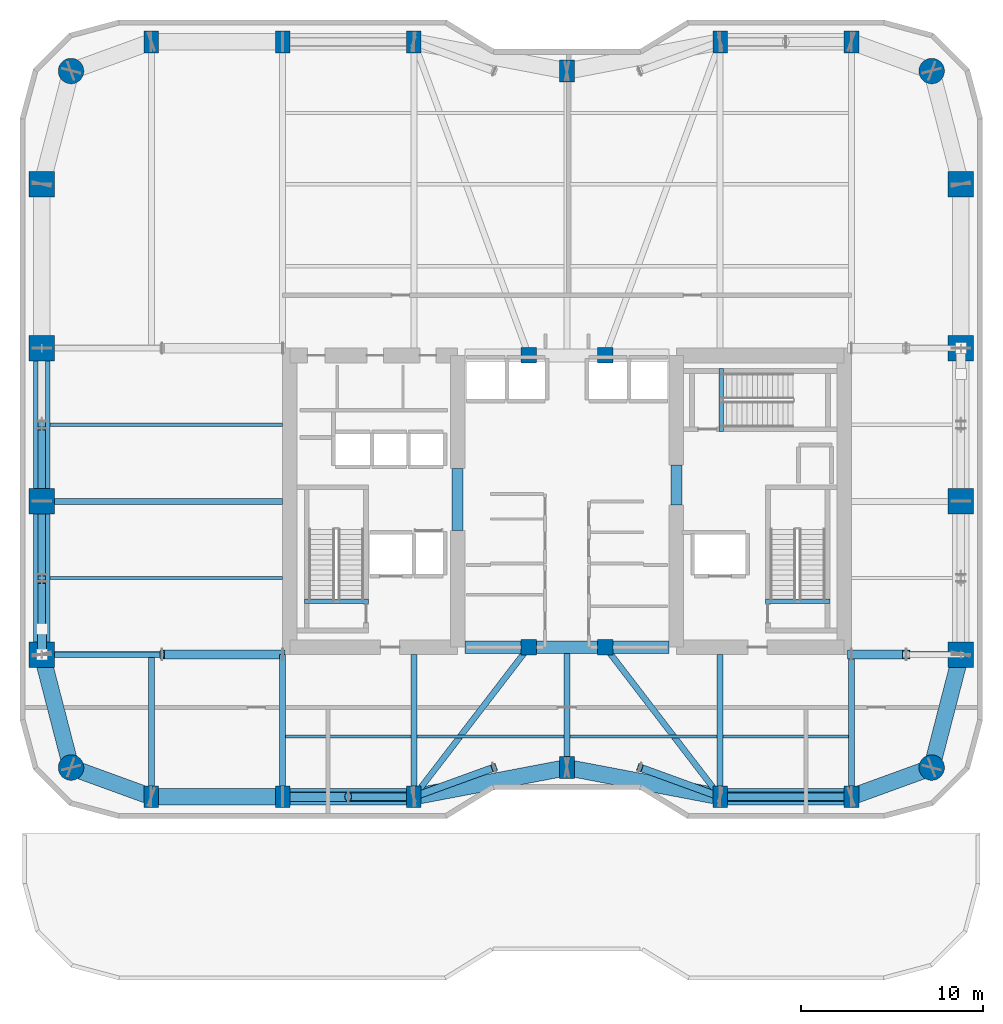
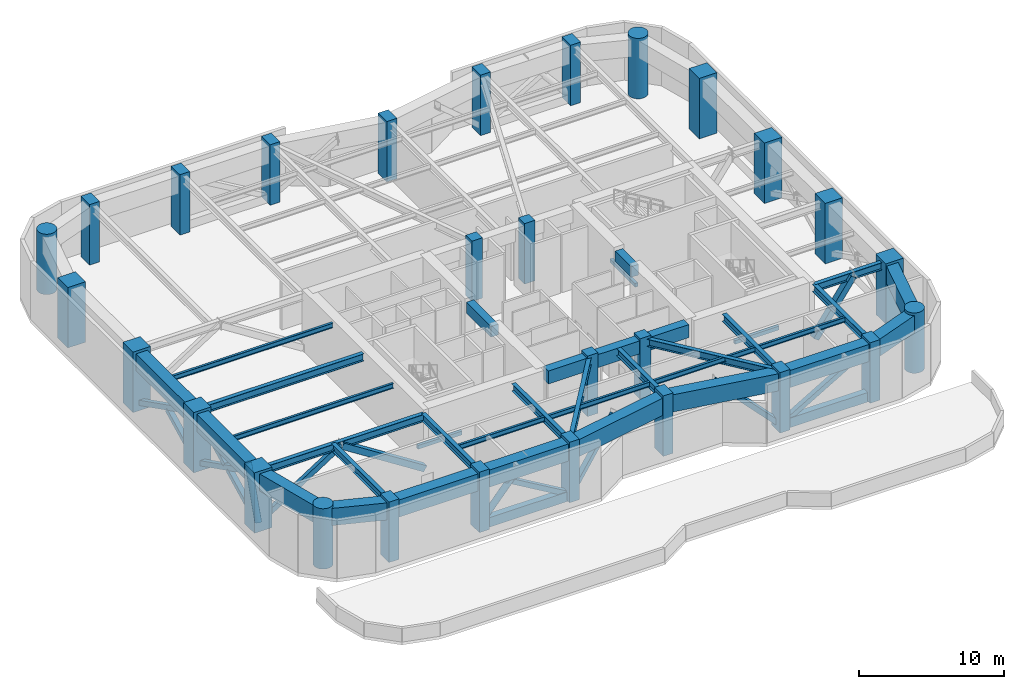
# One storey, part 1 of 16: 36 beams, 28 columns, 16 members.
"""IFC4 building model written with IfcOpenShell, lengths in metres."""

from ifc_helpers import new_model, si_unit, direction, frame, origin, origin_2d, place, context, subcontext, project, spatial, rectangle, hollow_rectangle, circle, hollow_circle, i_section, extrude, material, material_profile, profile_set, type_object, element, save


model = new_model("IFC4")

# Units and contexts
model_context = context("Model", 3, precision=1e-05, world=origin(), true_north=direction((0.0, 1.0)))
body_context = subcontext(model_context, "Body", "Model", "MODEL_VIEW")
ifc_project = project(units=[si_unit("LENGTHUNIT", "METRE"), si_unit("AREAUNIT", "SQUARE_METRE"), si_unit("VOLUMEUNIT", "CUBIC_METRE"), si_unit("PLANEANGLEUNIT", "RADIAN"), si_unit("MASSUNIT", "GRAM", prefix="KILO")], contexts=[model_context])

# Site, building, storey
site_placement = place(None, origin())
site = spatial("IfcSite", under=ifc_project, at=site_placement, CompositionType="ELEMENT")
building_placement = place(site_placement, origin())
building = spatial("IfcBuilding", under=site, at=building_placement, Name="Kiyonajd Concourse Tower", CompositionType="ELEMENT")
storey_placement = place(building_placement, frame((0.0, 0.0, 145.5)))
storey = spatial("IfcBuildingStorey", under=building, at=storey_placement, Name="L37", CompositionType="ELEMENT", Elevation=145.5)

# Columns
ifc_material_1 = material(Name="Concrete C70/85", Category="concrete")
ifc_material_profile_1 = material_profile(ifc_material_1, rectangle(XDim=0.800048828125, YDim=1.199951171875, at=origin_2d()), Name="RC-1200x800")
ifc_profile_set_1 = profile_set([ifc_material_profile_1], Name="Concrete C70/85")
column_type_1 = type_object("IfcColumnType", Name="CL-BLADE-1200", PredefinedType="COLUMN", material=ifc_profile_set_1)
for number, where, z_axis, x_axis, name in (
    (1, (25.199951171875, 19.800048828125, 0.0), (0.0, 0.0, 1.0), (1.0, 0.0, 0.0), "L37 Perimeter Bundled Tube Column"),
    (2, (25.199951171875, 61.199951171875, 0.0), (0.0, 0.0, 1.0), (1.0, 0.0, 0.0), "L37 Perimeter Bundled Tube Column"),
    (3, (32.39990234375, 19.800048828125, 0.0), (0.0, 0.0, 1.0), (1.0, 0.0, 0.0), "L37 Perimeter Bundled Tube Column"),
    (4, (32.39990234375, 61.199951171875, 0.0), (0.0, 0.0, 1.0), (1.0, 0.0, 0.0), "L37 Perimeter Bundled Tube Column"),
    (5, (39.60009765625, 19.800048828125, 0.0), (0.0, 0.0, 1.0), (1.0, 0.0, 0.0), "L37 Perimeter Bundled Tube Column"),
    (6, (39.60009765625, 61.199951171875, 0.0), (0.0, 0.0, 1.0), (1.0, 0.0, 0.0), "L37 Perimeter Bundled Tube Column"),
    (7, (48.0, 21.39990234375, 0.0), (0.0, 0.0, 1.0), (1.0, 0.0, 0.0), "L37 Perimeter Bundled Tube Column"),
    (8, (48.0, 59.60009765625, 0.0), (0.0, 0.0, 1.0), (1.0, 0.0, 0.0), "L37 Perimeter Bundled Tube Column"),
    (9, (56.39990234375, 19.800048828125, 0.0), (0.0, 0.0, 1.0), (1.0, 0.0, 0.0), "L37 Perimeter Bundled Tube Column"),
    (10, (56.39990234375, 61.199951171875, 0.0), (0.0, 0.0, 1.0), (1.0, 0.0, 0.0), "L37 Perimeter Bundled Tube Column"),
    (11, (63.60009765625, 19.800048828125, 0.0), (0.0, 0.0, 1.0), (1.0, 0.0, 0.0), "L37 Perimeter Bundled Tube Column"),
    (12, (63.60009765625, 61.199951171875, 0.0), (0.0, 0.0, 1.0), (1.0, 0.0, 0.0), "L37 Perimeter Bundled Tube Column"),
):
    element("IfcColumn", number, at=place(storey_placement, frame(where, z_axis=z_axis, x_axis=x_axis)), inside=storey, type_object=column_type_1, Name=name, PredefinedType="COLUMN", context=body_context, shape_type="SweptSolid", body=[
        extrude(rectangle(XDim=0.800048828125, YDim=1.199951171875, at=origin_2d()), origin(), (0.0, 0.0, 1.0), 5.10009765625),
    ])
ifc_material_2 = material(Name="Concrete C80/95", Category="concrete")
ifc_material_profile_2 = material_profile(ifc_material_2, circle(Radius=0.699951171875, at=origin_2d()), Name="RCC-D1400")
ifc_profile_set_2 = profile_set([ifc_material_profile_2], Name="Concrete C80/95")
column_type_2 = type_object("IfcColumnType", Name="CL-RND-1400", PredefinedType="COLUMN", material=ifc_profile_set_2)
for number, where, z_axis, x_axis, name in (
    (13, (20.800048828125, 21.39990234375, 0.0), (0.0, 0.0, 1.0), (1.0, 0.0, 0.0), "L37 Bundled Tube Corner Column South West"),
    (14, (68.0, 21.39990234375, 0.0), (0.0, 0.0, 1.0), (1.0, 0.0, 0.0), "L37 Bundled Tube Corner Column South East"),
    (15, (68.0, 59.60009765625, 0.0), (0.0, 0.0, 1.0), (1.0, 0.0, 0.0), "L37 Bundled Tube Corner Column North East"),
    (16, (20.800048828125, 59.60009765625, 0.0), (0.0, 0.0, 1.0), (1.0, 0.0, 0.0), "L37 Bundled Tube Corner Column North West"),
):
    element("IfcColumn", number, at=place(storey_placement, frame(where, z_axis=z_axis, x_axis=x_axis)), inside=storey, type_object=column_type_2, Name=name, PredefinedType="COLUMN", context=body_context, shape_type="SweptSolid", body=[
        extrude(circle(Radius=0.699951171875, at=origin_2d()), origin(), (0.0, 0.0, 1.0), 5.10009765625),
    ])
ifc_material_profile_3 = material_profile(ifc_material_1, rectangle(XDim=1.39990234375, YDim=1.39990234375, at=origin_2d()), Name="RC-1400x1400")
ifc_profile_set_3 = profile_set([ifc_material_profile_3], Name="Concrete C70/85")
column_type_3 = type_object("IfcColumnType", Name="CL-TUBE-1400", PredefinedType="COLUMN", material=ifc_profile_set_3)
for number, where, z_axis, x_axis, name in (
    (17, (19.199951171875, 27.60009765625, 0.0), (0.0, 0.0, 1.0), (1.0, 0.0, 0.0), "L37 Perimeter Bundled Tube Column"),
    (18, (69.60009765625, 27.60009765625, 0.0), (0.0, 0.0, 1.0), (1.0, 0.0, 0.0), "L37 Perimeter Bundled Tube Column"),
    (19, (19.199951171875, 36.0, 0.0), (0.0, 0.0, 1.0), (1.0, 0.0, 0.0), "L37 Perimeter Bundled Tube Column"),
    (20, (69.60009765625, 36.0, 0.0), (0.0, 0.0, 1.0), (1.0, 0.0, 0.0), "L37 Perimeter Bundled Tube Column"),
    (21, (19.199951171875, 44.39990234375, 0.0), (0.0, 0.0, 1.0), (1.0, 0.0, 0.0), "L37 Perimeter Bundled Tube Column"),
    (22, (69.60009765625, 44.39990234375, 0.0), (0.0, 0.0, 1.0), (1.0, 0.0, 0.0), "L37 Perimeter Bundled Tube Column"),
    (23, (19.199951171875, 53.39990234375, 0.0), (0.0, 0.0, 1.0), (1.0, 0.0, 0.0), "L37 Perimeter Bundled Tube Column"),
    (24, (69.60009765625, 53.39990234375, 0.0), (0.0, 0.0, 1.0), (1.0, 0.0, 0.0), "L37 Perimeter Bundled Tube Column"),
):
    element("IfcColumn", number, at=place(storey_placement, frame(where, z_axis=z_axis, x_axis=x_axis)), inside=storey, type_object=column_type_3, Name=name, PredefinedType="COLUMN", context=body_context, shape_type="SweptSolid", body=[
        extrude(rectangle(XDim=1.39990234375, YDim=1.39990234375, at=origin_2d()), origin(), (0.0, 0.0, 1.0), 5.10009765625),
    ])
ifc_material_3 = material(Name="Concrete C60/75", Category="concrete")
ifc_material_profile_4 = material_profile(ifc_material_3, rectangle(XDim=0.85009765625, YDim=0.85009765625, at=origin_2d()), Name="RC-850x850")
ifc_profile_set_4 = profile_set([ifc_material_profile_4], Name="Concrete C60/75")
column_type_4 = type_object("IfcColumnType", Name="CL-TUBE-850", PredefinedType="COLUMN", material=ifc_profile_set_4)
for number, where, z_axis, x_axis, name in (
    (25, (45.89990234375, 28.0, 0.0), (0.0, 0.0, 1.0), (1.0, 0.0, 0.0), "L37 Core Tie Column South West"),
    (26, (50.10009765625, 28.0, 0.0), (0.0, 0.0, 1.0), (1.0, 0.0, 0.0), "L37 Core Tie Column South East"),
    (27, (45.89990234375, 44.0, 0.0), (0.0, 0.0, 1.0), (1.0, 0.0, 0.0), "L37 Core Tie Column North West"),
    (28, (50.10009765625, 44.0, 0.0), (0.0, 0.0, 1.0), (1.0, 0.0, 0.0), "L37 Core Tie Column North East"),
):
    element("IfcColumn", number, at=place(storey_placement, frame(where, z_axis=z_axis, x_axis=x_axis)), inside=storey, type_object=column_type_4, Name=name, PredefinedType="COLUMN", context=body_context, shape_type="SweptSolid", body=[
        extrude(rectangle(XDim=0.85009765625, YDim=0.85009765625, at=origin_2d()), origin(), (0.0, 0.0, 1.0), 5.10009765625),
    ])

# Beams
ifc_material_profile_5 = material_profile(ifc_material_1, rectangle(XDim=0.699951171875, YDim=1.10009765625, at=origin_2d()), Name="RCBM-700x1100")
ifc_profile_set_5 = profile_set([ifc_material_profile_5], Name="Concrete C70/85")
beam_type_1 = type_object("IfcBeamType", Name="BM-COUP-1100", PredefinedType="LINTEL", material=ifc_profile_set_5)
beam_1_placement = place(storey_placement, frame((42.39990234375, 28.0, 4.330078125), z_axis=(1.0, 0.0, 0.0), x_axis=(0.0, 1.0, 0.0)))
element("IfcBeam", 29, at=beam_1_placement, inside=storey, type_object=beam_type_1, Name="L37 Core Coupling Beam S1", PredefinedType="LINTEL", context=body_context, shape_type="SweptSolid", body=[
    extrude(rectangle(XDim=0.699951171875, YDim=1.10009765625, at=origin_2d()), origin(), (0.0, 0.0, 1.0), 3.5),
])
beam_2_placement = place(storey_placement, frame((45.89990234375, 28.0, 4.330078125), z_axis=(1.0, 0.0, 0.0), x_axis=(0.0, 1.0, 0.0)))
element("IfcBeam", 30, at=beam_2_placement, inside=storey, type_object=beam_type_1, Name="L37 Core Coupling Beam S2", PredefinedType="LINTEL", context=body_context, shape_type="SweptSolid", body=[
    extrude(rectangle(XDim=0.699951171875, YDim=1.10009765625, at=origin_2d()), origin(), (0.0, 0.0, 1.0), 4.2001953125),
])
beam_3_placement = place(storey_placement, frame((50.10009765625, 28.0, 4.330078125), z_axis=(1.0, 0.0, 0.0), x_axis=(0.0, 1.0, 0.0)))
element("IfcBeam", 31, at=beam_3_placement, inside=storey, type_object=beam_type_1, Name="L37 Core Coupling Beam S3", PredefinedType="LINTEL", context=body_context, shape_type="SweptSolid", body=[
    extrude(rectangle(XDim=0.699951171875, YDim=1.10009765625, at=origin_2d()), origin(), (0.0, 0.0, 1.0), 3.5),
])
ifc_material_profile_6 = material_profile(ifc_material_3, rectangle(XDim=0.60009765625, YDim=0.89990234375, at=origin_2d()), Name="RCBM-600x900")
ifc_profile_set_6 = profile_set([ifc_material_profile_6], Name="Concrete C60/75")
beam_type_2 = type_object("IfcBeamType", Name="BM-COUP-900", PredefinedType="LINTEL", material=ifc_profile_set_6)
beam_4_placement = place(storey_placement, frame((42.0, 34.39990234375, 4.330078125), z_axis=(0.0, 1.0, 0.0), x_axis=(-1.0, 0.0, 0.0)))
element("IfcBeam", 32, at=beam_4_placement, inside=storey, type_object=beam_type_2, Name="L37 West Core Throat Coupling Lintel", PredefinedType="LINTEL", context=body_context, shape_type="SweptSolid", body=[
    extrude(rectangle(XDim=0.60009765625, YDim=0.89990234375, at=origin_2d()), origin(), (0.0, 0.0, 1.0), 3.400146484375),
])
beam_5_placement = place(storey_placement, frame((54.0, 35.800048828125, 4.330078125), z_axis=(0.0, 1.0, 0.0), x_axis=(-1.0, 0.0, 0.0)))
element("IfcBeam", 33, at=beam_5_placement, inside=storey, type_object=beam_type_2, Name="L37 East Core Throat Coupling Lintel", PredefinedType="LINTEL", context=body_context, shape_type="SweptSolid", body=[
    extrude(rectangle(XDim=0.60009765625, YDim=0.89990234375, at=origin_2d()), origin(), (0.0, 0.0, 1.0), 2.199951171875),
])
ifc_material_4 = material(Name="Steel ASTM A992 Grade 50", Category="steel")
ifc_material_profile_7 = material_profile(ifc_material_4, i_section(OverallWidth=0.180908203125, OverallDepth=0.4169921875, WebThickness=0.010986328125, FlangeThickness=0.018310546875, at=origin_2d()), Name="W410X85")
ifc_profile_set_7 = profile_set([ifc_material_profile_7], Name="Steel ASTM A992 Grade 50")
beam_type_3 = type_object("IfcBeamType", Name="BM-JST-410", PredefinedType="JOIST", material=ifc_profile_set_7)
beam_6_placement = place(storey_placement, frame((32.5634765625, 23.10009765625, 4.67138671875), z_axis=(1.0, 0.0, 0.0), x_axis=(0.0, 1.0, 0.0)))
element("IfcBeam", 34, at=beam_6_placement, inside=storey, type_object=beam_type_3, Name="L37 Secondary Floor Joist", PredefinedType="JOIST", context=body_context, shape_type="SweptSolid", body=[
    extrude(i_section(OverallWidth=0.180908203125, OverallDepth=0.4169921875, WebThickness=0.010986328125, FlangeThickness=0.018310546875, at=origin_2d()), origin(), (0.0, 0.0, 1.0), 6.873046875),
])
for number, where, z_axis, x_axis, name in (
    (35, (39.763427734375, 23.10009765625, 4.67138671875), (1.0, 0.0, 0.0), (0.0, 1.0, 0.0), "L37 Secondary Floor Joist"),
    (36, (48.16357421875, 23.10009765625, 4.67138671875), (1.0, 0.0, 0.0), (0.0, 1.0, 0.0), "L37 Secondary Floor Joist"),
):
    element("IfcBeam", number, at=place(storey_placement, frame(where, z_axis=z_axis, x_axis=x_axis)), inside=storey, type_object=beam_type_3, Name=name, PredefinedType="JOIST", context=body_context, shape_type="SweptSolid", body=[
        extrude(i_section(OverallWidth=0.180908203125, OverallDepth=0.4169921875, WebThickness=0.010986328125, FlangeThickness=0.018310546875, at=origin_2d()), origin(), (0.0, 0.0, 1.0), 8.072998046875),
    ])
beam_7_placement = place(storey_placement, frame((56.5634765625, 23.10009765625, 4.67138671875), z_axis=(1.0, 0.0, 0.0), x_axis=(0.0, 1.0, 0.0)))
element("IfcBeam", 37, at=beam_7_placement, inside=storey, type_object=beam_type_3, Name="L37 Secondary Floor Joist", PredefinedType="JOIST", context=body_context, shape_type="SweptSolid", body=[
    extrude(i_section(OverallWidth=0.180908203125, OverallDepth=0.4169921875, WebThickness=0.010986328125, FlangeThickness=0.018310546875, at=origin_2d()), origin(), (0.0, 0.0, 1.0), 6.873046875),
])
for number, where, z_axis, x_axis, name in (
    (38, (19.64990234375, 31.800048828125, 4.67138671875), (1.0, 0.0, 0.0), (0.0, 1.0, 0.0), "L37 West Secondary Floor Joist"),
    (39, (19.64990234375, 40.199951171875, 4.67138671875), (1.0, 0.0, 0.0), (0.0, 1.0, 0.0), "L37 West Secondary Floor Joist"),
):
    element("IfcBeam", number, at=place(storey_placement, frame(where, z_axis=z_axis, x_axis=x_axis)), inside=storey, type_object=beam_type_3, Name=name, PredefinedType="JOIST", context=body_context, shape_type="SweptSolid", body=[
        extrude(i_section(OverallWidth=0.180908203125, OverallDepth=0.4169921875, WebThickness=0.010986328125, FlangeThickness=0.018310546875, at=origin_2d()), origin(), (0.0, 0.0, 1.0), 12.75),
    ])
ifc_material_5 = material(Name="Concrete C50/60", Category="concrete")
ifc_material_profile_8 = material_profile(ifc_material_5, rectangle(XDim=0.239990234375, YDim=0.320068359375, at=origin_2d()), Name="RCBM-240x320")
ifc_profile_set_8 = profile_set([ifc_material_profile_8], Name="Concrete C50/60")
beam_type_4 = type_object("IfcBeamType", Name="BM-LNT-250", PredefinedType="LINTEL", material=ifc_profile_set_8)
for number, where, z_axis, x_axis, name in (
    (40, (33.590087890625, 30.530029296875, -0.159912109375), (1.0, 0.0, 0.0), (0.0, 1.0, 0.0), "L37 Stair ST1 Threshold Support Beam"),
    (41, (58.889892578125, 30.530029296875, -0.159912109375), (1.0, 0.0, 0.0), (0.0, 1.0, 0.0), "L37 Stair ST2 Threshold Support Beam"),
):
    element("IfcBeam", number, at=place(storey_placement, frame(where, z_axis=z_axis, x_axis=x_axis)), inside=storey, type_object=beam_type_4, Name=name, PredefinedType="LINTEL", context=body_context, shape_type="SweptSolid", body=[
        extrude(rectangle(XDim=0.239990234375, YDim=0.320068359375, at=origin_2d()), origin(), (0.0, 0.0, 1.0), 3.52001953125),
    ])
beam_8_placement = place(storey_placement, frame((56.4599609375, 39.820068359375, -0.159912109375), z_axis=(0.0, 1.0, 0.0), x_axis=(-1.0, 0.0, 0.0)))
element("IfcBeam", 42, at=beam_8_placement, inside=storey, type_object=beam_type_4, Name="L37 Stair ST3 Threshold Support Beam", PredefinedType="LINTEL", context=body_context, shape_type="SweptSolid", body=[
    extrude(rectangle(XDim=0.239990234375, YDim=0.320068359375, at=origin_2d()), origin(), (0.0, 0.0, 1.0), 3.4599609375),
])
ifc_material_profile_9 = material_profile(ifc_material_4, i_section(OverallWidth=0.326904296875, OverallDepth=0.6220703125, WebThickness=0.015380859375, FlangeThickness=0.0244140625, at=origin_2d()), Name="W610X195")
ifc_profile_set_9 = profile_set([ifc_material_profile_9], Name="Steel ASTM A992 Grade 50")
beam_type_5 = type_object("IfcBeamType", Name="BM-TWR-610A", PredefinedType="BEAM", material=ifc_profile_set_9)
for number, where, z_axis, x_axis, name in (
    (43, (39.60009765625, 19.800048828125, 4.569091796875), (0.609233709922, 0.792990722956, 0.0), (-0.792990722956, 0.609233709922, 0.0), "L37 Core Tie Girder"),
    (44, (50.10009765625, 28.0, 4.569091796875), (0.609233709922, -0.792990722956, 0.0), (0.792990722956, 0.609233709922, 0.0), "L37 Core Tie Girder"),
):
    element("IfcBeam", number, at=place(storey_placement, frame(where, z_axis=z_axis, x_axis=x_axis)), inside=storey, type_object=beam_type_5, Name=name, PredefinedType="BEAM", context=body_context, shape_type="SweptSolid", body=[
        extrude(i_section(OverallWidth=0.326904296875, OverallDepth=0.6220703125, WebThickness=0.015380859375, FlangeThickness=0.0244140625, at=origin_2d()), origin(), (0.0, 0.0, 1.0), 10.340576171875),
    ])
for number, where, z_axis, x_axis, name in (
    (45, (25.199951171875, 19.800048828125, 4.569091796875), (0.0, 1.0, 0.0), (-1.0, 0.0, 0.0), "L37 South Lease Girder"),
    (46, (32.39990234375, 19.800048828125, 4.569091796875), (0.0, 1.0, 0.0), (-1.0, 0.0, 0.0), "L37 South Lease Girder"),
    (47, (39.60009765625, 19.800048828125, 4.569091796875), (0.0, 1.0, 0.0), (-1.0, 0.0, 0.0), "L37 South Lease Girder"),
    (48, (56.39990234375, 19.800048828125, 4.569091796875), (0.0, 1.0, 0.0), (-1.0, 0.0, 0.0), "L37 South Lease Girder"),
    (49, (63.60009765625, 19.800048828125, 4.569091796875), (0.0, 1.0, 0.0), (-1.0, 0.0, 0.0), "L37 South Lease Girder"),
):
    element("IfcBeam", number, at=place(storey_placement, frame(where, z_axis=z_axis, x_axis=x_axis)), inside=storey, type_object=beam_type_5, Name=name, PredefinedType="BEAM", context=body_context, shape_type="SweptSolid", body=[
        extrude(i_section(OverallWidth=0.326904296875, OverallDepth=0.6220703125, WebThickness=0.015380859375, FlangeThickness=0.0244140625, at=origin_2d()), origin(), (0.0, 0.0, 1.0), 7.800048828125),
    ])
beam_9_placement = place(storey_placement, frame((48.0, 21.39990234375, 4.569091796875), z_axis=(0.0, 1.0, 0.0), x_axis=(-1.0, 0.0, 0.0)))
element("IfcBeam", 50, at=beam_9_placement, inside=storey, type_object=beam_type_5, Name="L37 South Ribbon Girder", PredefinedType="BEAM", context=body_context, shape_type="SweptSolid", body=[
    extrude(i_section(OverallWidth=0.326904296875, OverallDepth=0.6220703125, WebThickness=0.015380859375, FlangeThickness=0.0244140625, at=origin_2d()), origin(), (0.0, 0.0, 1.0), 6.60009765625),
])
beam_10_placement = place(storey_placement, frame((19.199951171875, 27.60009765625, 4.569091796875), z_axis=(1.0, 0.0, 0.0), x_axis=(0.0, 1.0, 0.0)))
element("IfcBeam", 51, at=beam_10_placement, inside=storey, type_object=beam_type_5, Name="L37 West Lease Girder", PredefinedType="BEAM", context=body_context, shape_type="SweptSolid", body=[
    extrude(i_section(OverallWidth=0.326904296875, OverallDepth=0.6220703125, WebThickness=0.015380859375, FlangeThickness=0.0244140625, at=origin_2d()), origin(), (0.0, 0.0, 1.0), 13.199951171875),
])
beam_11_placement = place(storey_placement, frame((63.60009765625, 27.60009765625, 4.569091796875), z_axis=(1.0, 0.0, 0.0), x_axis=(0.0, 1.0, 0.0)))
element("IfcBeam", 52, at=beam_11_placement, inside=storey, type_object=beam_type_5, Name="L37 East Lease Girder", PredefinedType="BEAM", context=body_context, shape_type="SweptSolid", body=[
    extrude(i_section(OverallWidth=0.326904296875, OverallDepth=0.6220703125, WebThickness=0.015380859375, FlangeThickness=0.0244140625, at=origin_2d()), origin(), (0.0, 0.0, 1.0), 6.0),
])
beam_12_placement = place(storey_placement, frame((19.199951171875, 36.0, 4.569091796875), z_axis=(1.0, 0.0, 0.0), x_axis=(0.0, 1.0, 0.0)))
element("IfcBeam", 53, at=beam_12_placement, inside=storey, type_object=beam_type_5, Name="L37 West Lease Girder", PredefinedType="BEAM", context=body_context, shape_type="SweptSolid", body=[
    extrude(i_section(OverallWidth=0.326904296875, OverallDepth=0.6220703125, WebThickness=0.015380859375, FlangeThickness=0.0244140625, at=origin_2d()), origin(), (0.0, 0.0, 1.0), 13.199951171875),
])
ifc_material_6 = material(Name="Steel ASTM A572 Grade 50", Category="steel")
ifc_material_profile_10 = material_profile(ifc_material_6, hollow_rectangle(XDim=0.89990234375, YDim=1.449951171875, WallThickness=0.074951171875, at=origin_2d()), Name="BOX-1450x900x75")
ifc_profile_set_10 = profile_set([ifc_material_profile_10], Name="Steel ASTM A572 Grade 50")
beam_type_6 = type_object("IfcBeamType", Name="BM-XFER-1800", PredefinedType="BEAM", material=ifc_profile_set_10)
beam_13_placement = place(storey_placement, frame((19.199951171875, 27.60009765625, 4.155029296875), z_axis=(0.249884937687, -0.968275538221, 0.0), x_axis=(0.968275538221, 0.249884937687, 0.0)))
element("IfcBeam", 54, at=beam_13_placement, inside=storey, type_object=beam_type_6, Name="L37 Perimeter Bundled Tube Spandrel", PredefinedType="BEAM", context=body_context, shape_type="SweptSolid", body=[
    extrude(hollow_rectangle(XDim=0.89990234375, YDim=1.449951171875, WallThickness=0.074951171875, at=origin_2d()), origin(), (0.0, 0.0, 1.0), 6.4033203125),
])
beam_14_placement = place(storey_placement, frame((20.800048828125, 21.39990234375, 4.155029296875), z_axis=(0.939801036019, -0.341722127901, 0.0), x_axis=(0.341722127901, 0.939801036019, 0.0)))
element("IfcBeam", 55, at=beam_14_placement, inside=storey, type_object=beam_type_6, Name="L37 Perimeter Bundled Tube Spandrel", PredefinedType="BEAM", context=body_context, shape_type="SweptSolid", body=[
    extrude(hollow_rectangle(XDim=0.89990234375, YDim=1.449951171875, WallThickness=0.074951171875, at=origin_2d()), origin(), (0.0, 0.0, 1.0), 4.681640625),
])
beam_15_placement = place(storey_placement, frame((25.199951171875, 19.800048828125, 4.155029296875), z_axis=(1.0, 0.0, 0.0), x_axis=(0.0, 1.0, 0.0)))
element("IfcBeam", 56, at=beam_15_placement, inside=storey, type_object=beam_type_6, Name="L37 Perimeter Bundled Tube Spandrel", PredefinedType="BEAM", context=body_context, shape_type="SweptSolid", body=[
    extrude(hollow_rectangle(XDim=0.89990234375, YDim=1.449951171875, WallThickness=0.074951171875, at=origin_2d()), origin(), (0.0, 0.0, 1.0), 7.199951171875),
])
beam_16_placement = place(storey_placement, frame((32.39990234375, 19.800048828125, 4.155029296875), z_axis=(1.0, 0.0, 0.0), x_axis=(0.0, 1.0, 0.0)))
element("IfcBeam", 57, at=beam_16_placement, inside=storey, type_object=beam_type_6, Name="L37 Perimeter Bundled Tube Spandrel", PredefinedType="BEAM", context=body_context, shape_type="SweptSolid", body=[
    extrude(hollow_rectangle(XDim=0.89990234375, YDim=1.449951171875, WallThickness=0.074951171875, at=origin_2d()), origin(), (0.0, 0.0, 1.0), 7.2001953125),
])
for number, where, z_axis, x_axis, name in (
    (58, (39.60009765625, 19.800048828125, 4.155029296875), (0.982341315253, 0.187097675953, 0.0), (-0.187097675953, 0.982341315253, 0.0), "L37 Perimeter Bundled Tube Spandrel"),
    (59, (48.0, 21.39990234375, 4.155029296875), (0.982341315253, -0.187097675953, 0.0), (0.187097675953, 0.982341315253, 0.0), "L37 Perimeter Bundled Tube Spandrel"),
):
    element("IfcBeam", number, at=place(storey_placement, frame(where, z_axis=z_axis, x_axis=x_axis)), inside=storey, type_object=beam_type_6, Name=name, PredefinedType="BEAM", context=body_context, shape_type="SweptSolid", body=[
        extrude(hollow_rectangle(XDim=0.89990234375, YDim=1.449951171875, WallThickness=0.074951171875, at=origin_2d()), origin(), (0.0, 0.0, 1.0), 8.55078125),
    ])
beam_17_placement = place(storey_placement, frame((56.39990234375, 19.800048828125, 4.155029296875), z_axis=(1.0, 0.0, 0.0), x_axis=(0.0, 1.0, 0.0)))
element("IfcBeam", 60, at=beam_17_placement, inside=storey, type_object=beam_type_6, Name="L37 Perimeter Bundled Tube Spandrel", PredefinedType="BEAM", context=body_context, shape_type="SweptSolid", body=[
    extrude(hollow_rectangle(XDim=0.89990234375, YDim=1.449951171875, WallThickness=0.074951171875, at=origin_2d()), origin(), (0.0, 0.0, 1.0), 7.2001953125),
])
beam_18_placement = place(storey_placement, frame((63.60009765625, 19.800048828125, 4.155029296875), z_axis=(0.939801036019, 0.341722127901, 0.0), x_axis=(-0.341722127901, 0.939801036019, 0.0)))
element("IfcBeam", 61, at=beam_18_placement, inside=storey, type_object=beam_type_6, Name="L37 Perimeter Bundled Tube Spandrel", PredefinedType="BEAM", context=body_context, shape_type="SweptSolid", body=[
    extrude(hollow_rectangle(XDim=0.89990234375, YDim=1.449951171875, WallThickness=0.074951171875, at=origin_2d()), origin(), (0.0, 0.0, 1.0), 4.681640625),
])
beam_19_placement = place(storey_placement, frame((68.0, 21.39990234375, 4.155029296875), z_axis=(0.249884937687, 0.968275538221, 0.0), x_axis=(-0.968275538221, 0.249884937687, 0.0)))
element("IfcBeam", 62, at=beam_19_placement, inside=storey, type_object=beam_type_6, Name="L37 Perimeter Bundled Tube Spandrel", PredefinedType="BEAM", context=body_context, shape_type="SweptSolid", body=[
    extrude(hollow_rectangle(XDim=0.89990234375, YDim=1.449951171875, WallThickness=0.074951171875, at=origin_2d()), origin(), (0.0, 0.0, 1.0), 6.4033203125),
])
for number, where, z_axis, x_axis, name in (
    (63, (19.199951171875, 44.39990234375, 4.155029296875), (0.0, -1.0, 0.0), (1.0, 0.0, 0.0), "L37 Perimeter Bundled Tube Spandrel"),
    (64, (19.199951171875, 36.0, 4.155029296875), (0.0, -1.0, 0.0), (1.0, 0.0, 0.0), "L37 Perimeter Bundled Tube Spandrel"),
):
    element("IfcBeam", number, at=place(storey_placement, frame(where, z_axis=z_axis, x_axis=x_axis)), inside=storey, type_object=beam_type_6, Name=name, PredefinedType="BEAM", context=body_context, shape_type="SweptSolid", body=[
        extrude(hollow_rectangle(XDim=0.89990234375, YDim=1.449951171875, WallThickness=0.074951171875, at=origin_2d()), origin(), (0.0, 0.0, 1.0), 8.39990234375),
    ])

# Members
ifc_material_profile_11 = material_profile(ifc_material_6, hollow_rectangle(XDim=0.5, YDim=0.800048828125, WallThickness=0.044921875, at=origin_2d()), Name="BOX-800x500x45")
ifc_profile_set_11 = profile_set([ifc_material_profile_11], Name="Steel ASTM A572 Grade 50")
member_type_1 = type_object("IfcMemberType", Name="MB-BT-CHORD", PredefinedType="CHORD", material=ifc_profile_set_11)
for number, where, z_axis, x_axis, name in (
    (65, (32.39990234375, 19.800048828125, 0.300048828125), (1.0, 0.0, 0.0), (0.0, 1.0, 0.0), "L37 Belt Truss Bottom Chord 01"),
    (66, (56.39990234375, 19.800048828125, 0.300048828125), (1.0, 0.0, 0.0), (0.0, 1.0, 0.0), "L37 Belt Truss Bottom Chord 02"),
):
    element("IfcMember", number, at=place(storey_placement, frame(where, z_axis=z_axis, x_axis=x_axis)), inside=storey, type_object=member_type_1, Name=name, PredefinedType="CHORD", context=body_context, shape_type="SweptSolid", body=[
        extrude(hollow_rectangle(XDim=0.5, YDim=0.800048828125, WallThickness=0.044921875, at=origin_2d()), origin(), (0.0, 0.0, 1.0), 7.2001953125),
    ])
ifc_material_7 = material(Name="Steel ASTM A500 Grade C", Category="steel")
ifc_material_profile_12 = material_profile(ifc_material_7, hollow_rectangle(XDim=0.39990234375, YDim=0.39990234375, WallThickness=0.02001953125, at=origin_2d()), Name="HSS-400x400x20")
ifc_profile_set_12 = profile_set([ifc_material_profile_12], Name="Steel ASTM A500 Grade C")
member_type_2 = type_object("IfcMemberType", Name="MB-BT-DIAG", PredefinedType="BRACE", material=ifc_profile_set_12)
member_1_placement = place(storey_placement, frame((32.39990234375, 19.800048828125, 4.530029296875), z_axis=(0.86221816933, 0.0, -0.506537094867), x_axis=(0.0, 1.0, 0.0)))
element("IfcMember", 67, at=member_1_placement, inside=storey, type_object=member_type_2, Name="L37 Outrigger and Belt Truss Member 09", PredefinedType="BRACE", context=body_context, shape_type="SweptSolid", body=[
    extrude(hollow_rectangle(XDim=0.39990234375, YDim=0.39990234375, WallThickness=0.02001953125, at=origin_2d()), origin(), (0.0, 0.0, 1.0), 8.350830078125),
])
for number, where, z_axis, x_axis, name in (
    (68, (39.60009765625, 19.800048828125, 0.300048828125), (0.697331487513, 0.253557498484, 0.67040091847), (-0.341722127901, 0.939801036019, 0.0), "L37 Outrigger and Belt Truss Member 10"),
    (69, (52.0, 21.39990234375, 4.530029296875), (0.697331487513, -0.253557498484, -0.67040091847), (0.341722127901, 0.939801036019, 0.0), "L37 Outrigger and Belt Truss Member 11"),
):
    element("IfcMember", number, at=place(storey_placement, frame(where, z_axis=z_axis, x_axis=x_axis)), inside=storey, type_object=member_type_2, Name=name, PredefinedType="BRACE", context=body_context, shape_type="SweptSolid", body=[
        extrude(hollow_rectangle(XDim=0.39990234375, YDim=0.39990234375, WallThickness=0.02001953125, at=origin_2d()), origin(), (0.0, 0.0, 1.0), 6.3095703125),
    ])
member_2_placement = place(storey_placement, frame((56.39990234375, 19.800048828125, 0.300048828125), z_axis=(0.86221816933, 0.0, 0.506537094867), x_axis=(0.0, 1.0, 0.0)))
element("IfcMember", 70, at=member_2_placement, inside=storey, type_object=member_type_2, Name="L37 Outrigger and Belt Truss Member 12", PredefinedType="BRACE", context=body_context, shape_type="SweptSolid", body=[
    extrude(hollow_rectangle(XDim=0.39990234375, YDim=0.39990234375, WallThickness=0.02001953125, at=origin_2d()), origin(), (0.0, 0.0, 1.0), 8.350830078125),
])
member_3_placement = place(storey_placement, frame((19.199951171875, 27.60009765625, 4.530029296875), z_axis=(0.0, 0.893146359282, -0.449766140235), x_axis=(-1.0, 0.0, 0.0)))
element("IfcMember", 71, at=member_3_placement, inside=storey, type_object=member_type_2, Name="L37 Belt Truss Continuous X Brace W1", PredefinedType="BRACE", context=body_context, shape_type="SweptSolid", body=[
    extrude(hollow_rectangle(XDim=0.39990234375, YDim=0.39990234375, WallThickness=0.02001953125, at=origin_2d()), origin(), (0.0, 0.0, 1.0), 9.40478515625),
])
member_4_placement = place(storey_placement, frame((19.199951171875, 27.60009765625, 0.300048828125), z_axis=(0.0, 0.893146137479, 0.449766580691), x_axis=(-1.0, 0.0, 0.0)))
element("IfcMember", 72, at=member_4_placement, inside=storey, type_object=member_type_2, Name="L37 Belt Truss Split X Brace Lower W1", PredefinedType="BRACE", context=body_context, shape_type="SweptSolid", body=[
    extrude(hollow_rectangle(XDim=0.39990234375, YDim=0.39990234375, WallThickness=0.02001953125, at=origin_2d()), origin(), (0.0, 0.0, 1.0), 4.47216796875),
])
member_5_placement = place(storey_placement, frame((19.199951171875, 32.00537109375, 2.518310546875), z_axis=(0.0, 0.893135251835, 0.449788196744), x_axis=(-1.0, 0.0, 0.0)))
element("IfcMember", 73, at=member_5_placement, inside=storey, type_object=member_type_2, Name="L37 Belt Truss Split X Brace Upper W1", PredefinedType="BRACE", context=body_context, shape_type="SweptSolid", body=[
    extrude(hollow_rectangle(XDim=0.39990234375, YDim=0.39990234375, WallThickness=0.02001953125, at=origin_2d()), origin(), (0.0, 0.0, 1.0), 4.47265625),
])
member_6_placement = place(storey_placement, frame((19.199951171875, 36.0, 4.530029296875), z_axis=(0.0, 0.893146359282, -0.449766140235), x_axis=(-1.0, 0.0, 0.0)))
element("IfcMember", 74, at=member_6_placement, inside=storey, type_object=member_type_2, Name="L37 Belt Truss Continuous X Brace W2", PredefinedType="BRACE", context=body_context, shape_type="SweptSolid", body=[
    extrude(hollow_rectangle(XDim=0.39990234375, YDim=0.39990234375, WallThickness=0.02001953125, at=origin_2d()), origin(), (0.0, 0.0, 1.0), 9.40478515625),
])
member_7_placement = place(storey_placement, frame((19.199951171875, 36.0, 0.300048828125), z_axis=(0.0, 0.893157179671, 0.449744652445), x_axis=(-1.0, 0.0, 0.0)))
element("IfcMember", 75, at=member_7_placement, inside=storey, type_object=member_type_2, Name="L37 Belt Truss Split X Brace Lower W2", PredefinedType="BRACE", context=body_context, shape_type="SweptSolid", body=[
    extrude(hollow_rectangle(XDim=0.39990234375, YDim=0.39990234375, WallThickness=0.02001953125, at=origin_2d()), origin(), (0.0, 0.0, 1.0), 4.472412109375),
])
ifc_material_profile_13 = material_profile(ifc_material_7, hollow_rectangle(XDim=0.300048828125, YDim=0.449951171875, WallThickness=0.02197265625, at=origin_2d()), Name="HSS-450x300x22")
ifc_profile_set_13 = profile_set([ifc_material_profile_13], Name="Steel ASTM A500 Grade C")
member_type_3 = type_object("IfcMemberType", Name="MB-OT-DIAG", PredefinedType="BRACE", material=ifc_profile_set_13)
member_8_placement = place(storey_placement, frame((25.800048828125, 27.60009765625, 4.530029296875), z_axis=(-0.841928477143, 0.0, -0.539589139416), x_axis=(0.0, -1.0, 0.0)))
element("IfcMember", 76, at=member_8_placement, inside=storey, type_object=member_type_3, Name="L37 Outrigger and Belt Truss Member 02", PredefinedType="BRACE", context=body_context, shape_type="SweptSolid", body=[
    extrude(hollow_rectangle(XDim=0.300048828125, YDim=0.449951171875, WallThickness=0.02197265625, at=origin_2d()), origin(), (0.0, 0.0, 1.0), 7.83935546875),
])
ifc_material_profile_14 = material_profile(ifc_material_6, hollow_rectangle(XDim=0.5, YDim=0.5, WallThickness=0.02490234375, at=origin_2d()), Name="HSS-500x500x25")
ifc_profile_set_14 = profile_set([ifc_material_profile_14], Name="Steel ASTM A572 Grade 50")
member_type_4 = type_object("IfcMemberType", Name="MB-OT-STRUT", PredefinedType="STRUT", material=ifc_profile_set_14)
member_9_placement = place(storey_placement, frame((32.39990234375, 27.60009765625, 0.300048828125), z_axis=(-0.841919409208, 0.0, 0.539603287979), x_axis=(0.0, -1.0, 0.0)))
element("IfcMember", 77, at=member_9_placement, inside=storey, type_object=member_type_4, Name="L37 Outrigger and Belt Truss Member 01", PredefinedType="STRUT", context=body_context, shape_type="SweptSolid", body=[
    extrude(hollow_rectangle(XDim=0.5, YDim=0.5, WallThickness=0.02490234375, at=origin_2d()), origin(), (0.0, 0.0, 1.0), 7.839111328125),
])
member_10_placement = place(storey_placement, frame((63.60009765625, 27.60009765625, 0.300048828125), z_axis=(0.57850054233, 0.0, 0.815681998406), x_axis=(0.0, 1.0, 0.0)))
element("IfcMember", 78, at=member_10_placement, inside=storey, type_object=member_type_4, Name="L37 Outrigger and Belt Truss Member 05", PredefinedType="STRUT", context=body_context, shape_type="SweptSolid", body=[
    extrude(hollow_rectangle(XDim=0.5, YDim=0.5, WallThickness=0.02490234375, at=origin_2d()), origin(), (0.0, 0.0, 1.0), 5.185791015625),
])
ifc_material_profile_15 = material_profile(ifc_material_7, hollow_circle(Radius=0.25390625, WallThickness=0.02197265625, at=origin_2d()), Name="CHS-508x22")
ifc_profile_set_15 = profile_set([ifc_material_profile_15], Name="Steel ASTM A500 Grade C")
member_type_5 = type_object("IfcMemberType", Name="MB-PB-MID", PredefinedType="BRACE", material=ifc_profile_set_15)
member_11_placement = place(storey_placement, frame((32.39990234375, 19.800048828125, 0.300048828125), z_axis=(0.648130561025, 0.0, 0.761529235069), x_axis=(0.0, 1.0, 0.0)))
element("IfcMember", 79, at=member_11_placement, inside=storey, type_object=member_type_5, Name="L37 Upper Zone Hollow Tube Brace PBS", PredefinedType="BRACE", context=body_context, shape_type="SweptSolid", body=[
    extrude(hollow_circle(Radius=0.25390625, WallThickness=0.02197265625, at=origin_2d()), origin(), (0.0, 0.0, 1.0), 5.5546875),
])
member_12_placement = place(storey_placement, frame((19.199951171875, 27.60009765625, 0.300048828125), z_axis=(0.0, 0.314188699913, 0.949360553661), x_axis=(-1.0, 0.0, 0.0)))
element("IfcMember", 80, at=member_12_placement, inside=storey, type_object=member_type_5, Name="L37 Upper Zone Hollow Tube Brace PBW", PredefinedType="BRACE", context=body_context, shape_type="SweptSolid", body=[
    extrude(hollow_circle(Radius=0.25390625, WallThickness=0.02197265625, at=origin_2d()), origin(), (0.0, 0.0, 1.0), 4.45556640625),
])

save(model, "model.ifc")
